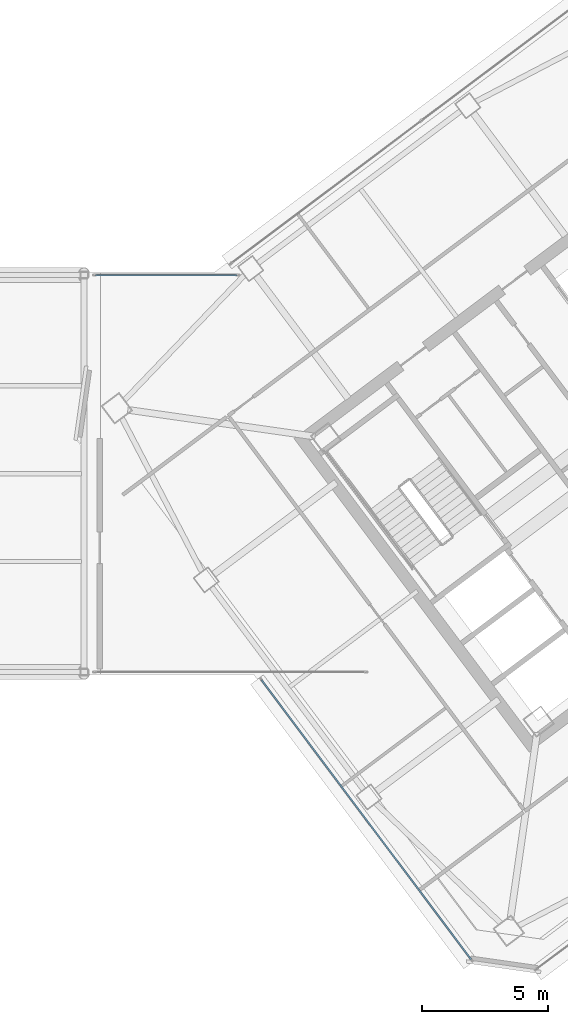
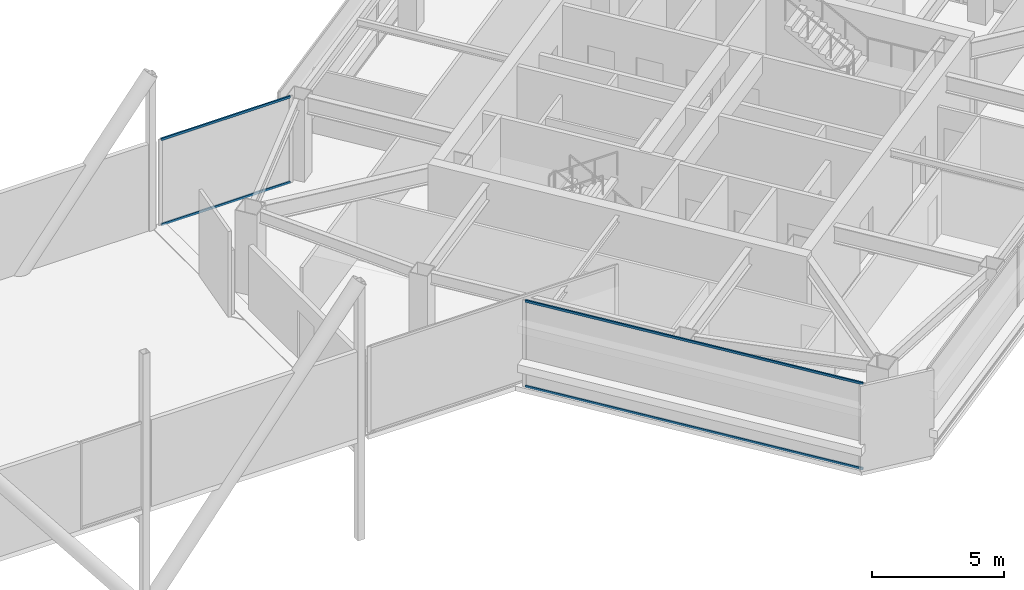
# One storey, part 29 of 53: 4 members, 2 elements without a shape of their own.
"""IFC4 building model written with IfcOpenShell, lengths in metres."""

from ifc_helpers import new_model, si_unit, direction, frame, origin, origin_2d, place, context, subcontext, project, spatial, hollow_rectangle, extrude, material, material_profile, profile_set, type_object, element, aggregate, save


model = new_model("IFC4")

# Units and contexts
model_context = context("Model", 3, precision=1e-05, world=origin(), true_north=direction((0.0, 1.0)))
body_context = subcontext(model_context, "Body", "Model", "MODEL_VIEW")
ifc_project = project(units=[si_unit("LENGTHUNIT", "METRE"), si_unit("AREAUNIT", "SQUARE_METRE"), si_unit("VOLUMEUNIT", "CUBIC_METRE"), si_unit("PLANEANGLEUNIT", "RADIAN"), si_unit("MASSUNIT", "GRAM", prefix="KILO")], contexts=[model_context])

# Site, building, storey
site_placement = place(None, origin())
site = spatial("IfcSite", under=ifc_project, at=site_placement, CompositionType="ELEMENT")
building_placement = place(site_placement, origin())
building = spatial("IfcBuilding", under=site, at=building_placement, Name="Tashvorn Skyway Center", CompositionType="ELEMENT")
storey_placement = place(building_placement, frame((0.0, 0.0, 255.39990234375)))
storey = spatial("IfcBuildingStorey", under=building, at=storey_placement, Name="L69", CompositionType="ELEMENT", Elevation=255.39990234375)

# Curtain wall, members
ifc_material = material(Name="Thermally broken bronze-anodized aluminium 6063-T6", Category="aluminium")
curtain_wall_type = type_object("IfcCurtainWallType", Name="CW-CW-SKY", PredefinedType="NOTDEFINED", material=ifc_material)
curtain_wall_1_placement = place(storey_placement, origin())
curtain_wall_1 = element("IfcCurtainWall", 1, at=curtain_wall_1_placement, inside=storey, type_object=curtain_wall_type, Name="Tower 2 L69 West Curtain Wall A", PredefinedType="NOTDEFINED")
ifc_material_profile = material_profile(ifc_material, hollow_rectangle(XDim=0.06494140625, YDim=0.10498046875, WallThickness=0.00390625, at=origin_2d()), Name="ALU-TRAN-65x105")
ifc_profile_set = profile_set([ifc_material_profile], Name="Thermally broken bronze-anodized aluminium 6063-T6")
member_type = type_object("IfcMemberType", Name="CWT-CW-SKY", PredefinedType="USERDEFINED", material=ifc_profile_set)
member_1_placement = place(storey_placement, frame((109.905029296875, 12.659912109375, 0.03271484375), z_axis=(-0.6, 0.8, 0.0), x_axis=(-0.8, -0.6, 0.0)))
member_1 = element("IfcMember", 2, at=member_1_placement, type_object=member_type, Name="CW-SKY transom 1.1", ObjectType="TRANSOM", PredefinedType="USERDEFINED", context=body_context, shape_type="SweptSolid", body=[
    extrude(hollow_rectangle(XDim=0.06494140625, YDim=0.10498046875, WallThickness=0.00390625, at=origin_2d()), origin(), (0.0, 0.0, 1.0), 13.900146484375),
])
member_2_placement = place(storey_placement, frame((109.905029296875, 12.659912109375, 3.967529296875), z_axis=(-0.6, 0.8, 0.0), x_axis=(-0.8, -0.6, 0.0)))
member_2 = element("IfcMember", 3, at=member_2_placement, type_object=member_type, Name="CW-SKY transom 1.2", ObjectType="TRANSOM", PredefinedType="USERDEFINED", context=body_context, shape_type="SweptSolid", body=[
    extrude(hollow_rectangle(XDim=0.06494140625, YDim=0.10498046875, WallThickness=0.00390625, at=origin_2d()), origin(), (0.0, 0.0, 1.0), 13.900146484375),
])
aggregate(curtain_wall_1, [member_1, member_2])

curtain_wall_2_placement = place(storey_placement, origin())
curtain_wall_2 = element("IfcCurtainWall", 4, at=curtain_wall_2_placement, inside=storey, type_object=curtain_wall_type, Name="Tower 2 L69 Vestibule North Curtain Wall", PredefinedType="NOTDEFINED")
member_3_placement = place(storey_placement, frame((94.945068359375, 39.89990234375, 0.03271484375), z_axis=(1.0, 0.0, 0.0), x_axis=(0.0, 1.0, 0.0)))
member_3 = element("IfcMember", 5, at=member_3_placement, type_object=member_type, Name="CW-SKY transom 1.1", ObjectType="TRANSOM", PredefinedType="USERDEFINED", context=body_context, shape_type="SweptSolid", body=[
    extrude(hollow_rectangle(XDim=0.06494140625, YDim=0.10498046875, WallThickness=0.00390625, at=origin_2d()), origin(), (0.0, 0.0, 1.0), 5.639892578125),
])
member_4_placement = place(storey_placement, frame((94.945068359375, 39.89990234375, 3.967529296875), z_axis=(1.0, 0.0, 0.0), x_axis=(0.0, 1.0, 0.0)))
member_4 = element("IfcMember", 6, at=member_4_placement, type_object=member_type, Name="CW-SKY transom 1.2", ObjectType="TRANSOM", PredefinedType="USERDEFINED", context=body_context, shape_type="SweptSolid", body=[
    extrude(hollow_rectangle(XDim=0.06494140625, YDim=0.10498046875, WallThickness=0.00390625, at=origin_2d()), origin(), (0.0, 0.0, 1.0), 5.639892578125),
])
aggregate(curtain_wall_2, [member_3, member_4])

save(model, "model.ifc")
